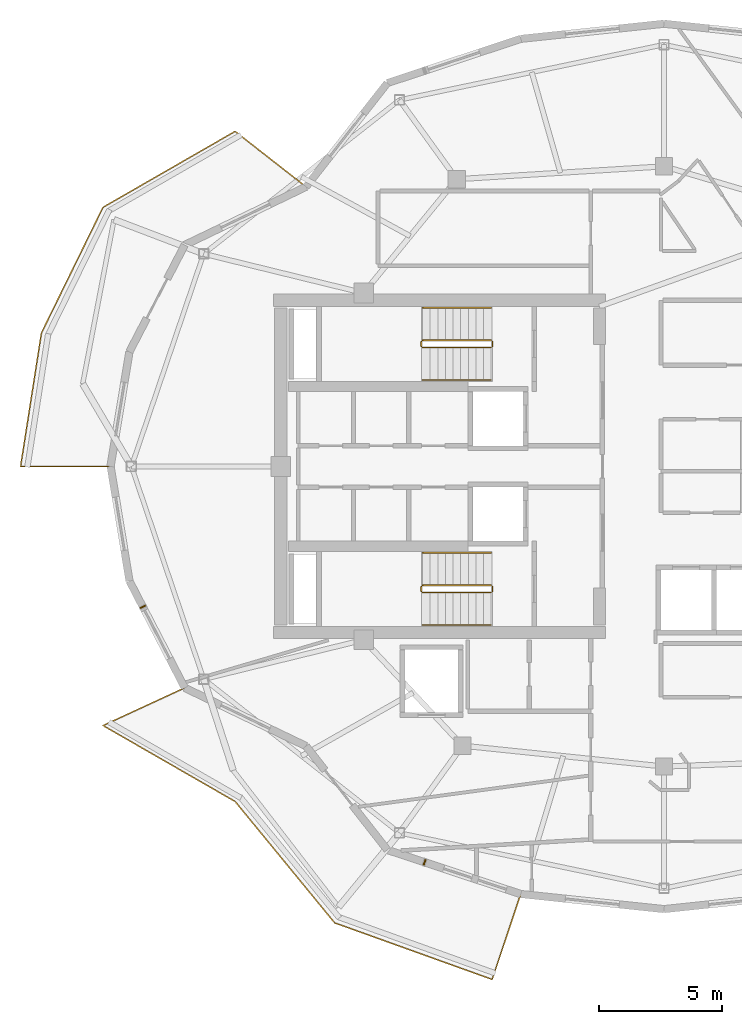
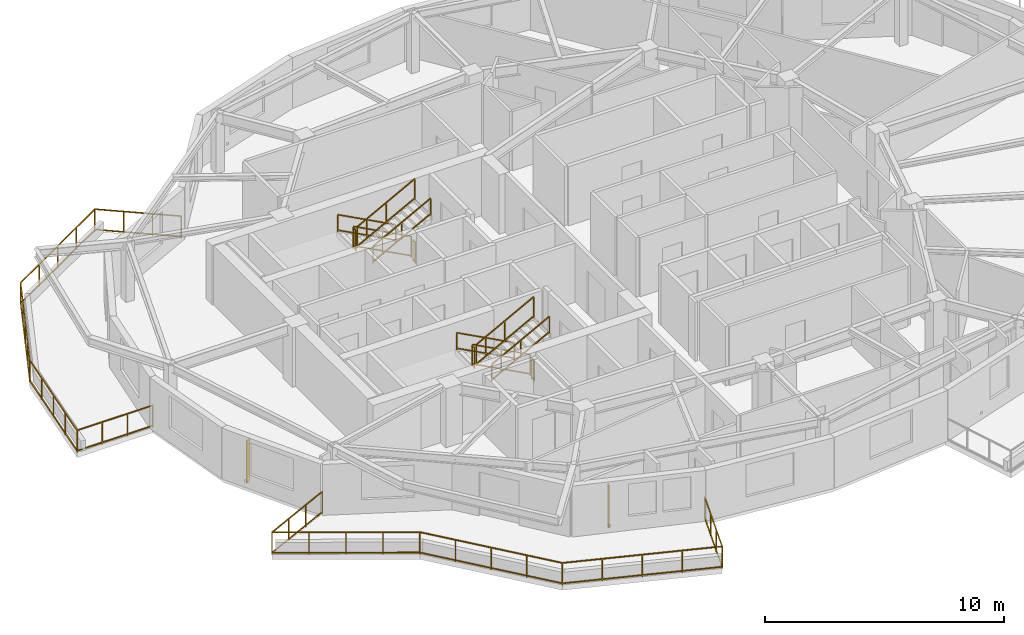
# One storey, part 9 of 11: 14 railings, 2 shading devices.
"""IFC4 building model written with IfcOpenShell, lengths in metres."""

import ifcopenshell
import ifcopenshell.guid

model = None  # the IFC model being written
_history = None  # IfcOwnerHistory: only IFC2X3 demands one
_inside = {}  # id of a spatial element -> (the spatial element, [elements in it])
_under = {}  # id of a project, library or spatial element -> (it, [spatial elements below it])
_declared = {}  # id of a project -> (the project, [libraries it declares])
_typed = {}  # id of a type object -> (the type object, [elements of that type])
_made_of = {}  # id of a material, layer set ... -> (it, [elements and type objects made of it])


def new_model(schema):
    """Start an empty IFC model of exactly this schema.

    Asked for "IFC4X3", IfcOpenShell would pick the latest addendum, in which some entities
    have other attributes; the version numbers below select the first issue.
    IFC2X3 requires an IfcOwnerHistory on every rooted entity: one is made here for all.
    """
    global model, _history
    if schema == "IFC4X3":
        model = ifcopenshell.file(schema_version=(4, 3, 0, 0))
    else:
        model = ifcopenshell.file(schema=schema)
    _inside.clear()
    _under.clear()
    _declared.clear()
    _typed.clear()
    _made_of.clear()
    _history = None
    if model.schema == "IFC2X3":
        org = make("IfcOrganization", Name="unknown")
        user = make(
            "IfcPersonAndOrganization",
            ThePerson=make("IfcPerson", FamilyName="unknown"),
            TheOrganization=org,
        )
        app = make(
            "IfcApplication",
            ApplicationDeveloper=org,
            Version="unknown",
            ApplicationFullName="unknown",
            ApplicationIdentifier="unknown",
        )
        _history = make(
            "IfcOwnerHistory",
            OwningUser=user,
            OwningApplication=app,
            ChangeAction="ADDED",
            CreationDate=0,
        )
    return model


def make(cls, **values):
    """One entity of the class cls with the attributes given. An attribute that is None is left unset."""
    return model.create_entity(
        cls, **{name: value for name, value in values.items() if value is not None}
    )


def rooted(cls, **values):
    """An entity with a GlobalId (a new one), such as an element, a storey or a relation."""
    return make(cls, GlobalId=ifcopenshell.guid.new(), OwnerHistory=_history, **values)


def si_unit(unit_type, name, prefix=None):
    """IfcSIUnit, for example si_unit("LENGTHUNIT", "METRE", prefix="MILLI")."""
    return make("IfcSIUnit", UnitType=unit_type, Prefix=prefix, Name=name)


def assignment(units):
    """IfcUnitAssignment: the units of a project."""
    return None if units is None else make("IfcUnitAssignment", Units=units)


def point(xyz):
    """IfcCartesianPoint."""
    return None if xyz is None else make("IfcCartesianPoint", Coordinates=xyz)


def direction(xyz):
    """IfcDirection."""
    return None if xyz is None else make("IfcDirection", DirectionRatios=xyz)


def frame(location, z_axis=None, x_axis=None):
    """IfcAxis2Placement3D, a coordinate frame: its origin and axes. An axis left out is left unset."""
    return make(
        "IfcAxis2Placement3D",
        Location=point(location),
        Axis=direction(z_axis),
        RefDirection=direction(x_axis),
    )


def frame_2d(location, x_axis=None):
    """IfcAxis2Placement2D, a coordinate frame in the plane: its origin and x axis."""
    return make(
        "IfcAxis2Placement2D", Location=point(location), RefDirection=direction(x_axis)
    )


def origin():
    """The frame at (0, 0, 0) with its axes left unset."""
    return frame((0.0, 0.0, 0.0))


def origin_2d():
    """The frame at (0, 0) in the plane with its x axis left unset."""
    return frame_2d((0.0, 0.0))


def place(relative_to, where):
    """IfcLocalPlacement: puts the frame where relative to a parent placement (None: the world)."""
    return make(
        "IfcLocalPlacement", PlacementRelTo=relative_to, RelativePlacement=where
    )


def context(
    kind, dimensions, precision=None, world=None, true_north=None, identifier=None
):
    """IfcGeometricRepresentationContext, for example the 3D "Model" context."""
    return make(
        "IfcGeometricRepresentationContext",
        ContextIdentifier=identifier,
        ContextType=kind,
        CoordinateSpaceDimension=dimensions,
        Precision=precision,
        WorldCoordinateSystem=world,
        TrueNorth=true_north,
    )


def subcontext(parent, identifier, kind, view, scale=None):
    """IfcGeometricRepresentationSubContext, for example "Body" below "Model"."""
    return make(
        "IfcGeometricRepresentationSubContext",
        ContextIdentifier=identifier,
        ContextType=kind,
        ParentContext=parent,
        TargetScale=scale,
        TargetView=view,
    )


def project(units=None, contexts=None):
    """IfcProject with its units and contexts."""
    return rooted(
        "IfcProject",
        Name="project",
        RepresentationContexts=contexts,
        UnitsInContext=assignment(units),
    )


def spatial(cls, under=None, at=None, **own):
    """A site, building, storey or space (cls), placed at a placement, below another one or the project."""
    s = rooted(cls, ObjectPlacement=at, **own)
    if under is not None:
        _under.setdefault(under.id(), (under, []))[1].append(s)
    return s


def profile(cls, at=None, kind="AREA", **sizes):
    """A parametric profile (cls). Its sizes go by their IFC names, for example OverallWidth=200.0."""
    return make(cls, ProfileType=kind, Position=at, **sizes)


def rectangle(**sizes):
    """IfcRectangleProfileDef."""
    return profile("IfcRectangleProfileDef", **sizes)


def extrude(swept, where, along, depth):
    """IfcExtrudedAreaSolid: the profile swept, set in the frame where, extruded along a direction by depth."""
    return make(
        "IfcExtrudedAreaSolid",
        SweptArea=swept,
        Position=where,
        ExtrudedDirection=direction(along),
        Depth=depth,
    )


def shape(context_of_items, identifier, shape_type, items):
    """IfcShapeRepresentation: the items that make up one representation, for example the "Body"."""
    return make(
        "IfcShapeRepresentation",
        ContextOfItems=context_of_items,
        RepresentationIdentifier=identifier,
        RepresentationType=shape_type,
        Items=items,
    )


def material(Name=None, Category=None):
    """IfcMaterial."""
    return make("IfcMaterial", Name=Name, Category=Category)


def made_of(thing, what):
    """Note that an element or type object is made of a material, layer set ...; save() writes the relation."""
    if what is not None:
        _made_of.setdefault(what.id(), (what, []))[1].append(thing)
    return thing


def type_object(cls, material=None, **own):
    """A type object (cls), such as IfcWallType, which elements share."""
    return made_of(rooted(cls, **own), material)


def element(
    cls,
    number,
    at=None,
    inside=None,
    cuts=None,
    type_object=None,
    material=None,
    context=None,
    identifier="Body",
    shape_type=None,
    held_by="IfcProductDefinitionShape",
    body=None,
    shapes=None,
    **own,
):
    """One element of the class cls, such as IfcWall. Its Tag is "e" and its number.

    at: its placement. inside: the storey or other place that contains it. cuts: it is an
    opening in that element (IfcRelVoidsElement). A single representation is given by context,
    identifier, shape_type and body (its items); several are given by shapes. held_by: the class
    of the entity that holds the representations. save() writes the other relations.
    """
    e = rooted(cls, Tag="e%d" % number, ObjectPlacement=at, **own)
    if body is not None:
        shapes = [shape(context, identifier, shape_type, body)]
    if shapes is not None:
        e.Representation = make(held_by, Representations=shapes)
    if inside is not None:
        _inside.setdefault(inside.id(), (inside, []))[1].append(e)
    if cuts is not None:
        rooted(
            "IfcRelVoidsElement", RelatingBuildingElement=cuts, RelatedOpeningElement=e
        )
    if type_object is not None:
        _typed.setdefault(type_object.id(), (type_object, []))[1].append(e)
    return made_of(e, material)


def aggregate(whole, parts):
    """IfcRelAggregates: a whole, such as a stair, and the parts it consists of."""
    return rooted("IfcRelAggregates", RelatingObject=whole, RelatedObjects=parts)


def save(model, path):
    """Write the relations noted so far, then the file.

    IfcRelAggregates (storeys below a building ...), IfcRelContainedInSpatialStructure (elements
    in a storey), IfcRelDefinesByType, IfcRelAssociatesMaterial and IfcRelDeclares: one each for
    every whole, place, type object, material and project.
    """
    for whole, parts in _under.values():
        aggregate(whole, parts)
    for where, things in _inside.values():
        rooted(
            "IfcRelContainedInSpatialStructure",
            RelatedElements=things,
            RelatingStructure=where,
        )
    for kind, things in _typed.values():
        rooted("IfcRelDefinesByType", RelatedObjects=things, RelatingType=kind)
    for what, things in _made_of.values():
        rooted("IfcRelAssociatesMaterial", RelatedObjects=things, RelatingMaterial=what)
    for by, libraries in _declared.values():
        rooted("IfcRelDeclares", RelatingContext=by, RelatedDefinitions=libraries)
    model.write(path)


model = new_model("IFC4")

# Units and contexts
model_context = context("Model", 3, precision=1e-05, world=origin(), true_north=direction((0.0, 1.0)))
body_context = subcontext(model_context, "Body", "Model", "MODEL_VIEW")
ifc_project = project(units=[si_unit("LENGTHUNIT", "METRE"), si_unit("AREAUNIT", "SQUARE_METRE"), si_unit("VOLUMEUNIT", "CUBIC_METRE"), si_unit("PLANEANGLEUNIT", "RADIAN"), si_unit("MASSUNIT", "GRAM", prefix="KILO")], contexts=[model_context])

# Site, building, storey
site_placement = place(None, origin())
site = spatial("IfcSite", under=ifc_project, at=site_placement, CompositionType="ELEMENT")
building_placement = place(site_placement, origin())
building = spatial("IfcBuilding", under=site, at=building_placement, Name="Kolvaren Gate Tower and Convention Centre", CompositionType="ELEMENT")
storey_placement = place(building_placement, frame((0.0, 0.0, 242.60009765625)))
storey = spatial("IfcBuildingStorey", under=building, at=storey_placement, Name="L65", CompositionType="ELEMENT", Elevation=242.60009765625)

# Railings
ifc_material_1 = material(Name="Brushed Stainless Steel Grade 316L", Category="steel")
railing_type_1 = type_object("IfcRailingType", Name="ARCH-RL-GUARD-1150", PredefinedType="GUARDRAIL", material=ifc_material_1)
railing_1_placement = place(storey_placement, frame((23.10009765625, 32.1298828125, 0.164794921875)))
element("IfcRailing", 1, at=railing_1_placement, inside=storey, type_object=railing_type_1, Name="L65 ST-T1 stair guard 1", PredefinedType="GUARDRAIL", context=body_context, shape_type="SweptSolid", body=[
    extrude(rectangle(XDim=0.048095703125, YDim=0.048095703125, at=origin_2d()), frame((0.0, 0.0, 1.076171875), z_axis=(-0.882735390775, 0.0, 0.469870439454), x_axis=(0.0, -1.0, 0.0)), (0.0, 0.0, 1.0), 3.16064453125),
    extrude(rectangle(XDim=0.048095703125, YDim=0.048095703125, at=origin_2d()), frame((0.0, 0.0, 0.083984375), z_axis=(-0.882735390775, 0.0, 0.469870439454), x_axis=(0.0, -1.0, 0.0)), (0.0, 0.0, 1.0), 3.16064453125),
    extrude(rectangle(XDim=0.0419921875, YDim=0.0419921875, at=origin_2d()), origin(), (0.0, 0.0, 1.0), 1.050048828125),
    extrude(rectangle(XDim=0.0419921875, YDim=0.0419921875, at=origin_2d()), frame((-2.7900390625, 0.0, 1.485107421875)), (0.0, 0.0, 1.0), 1.050048828125),
    extrude(rectangle(XDim=0.0419921875, YDim=0.0419921875, at=origin_2d()), frame((-1.39501953125, 0.0, 0.74267578125)), (0.0, 0.0, 1.0), 1.050048828125),
])
railing_2_placement = place(storey_placement, frame((20.260009765625, 32.080078125, 1.64990234375)))
element("IfcRailing", 2, at=railing_2_placement, inside=storey, type_object=railing_type_1, Name="L65 ST-T1 stair guard 2", PredefinedType="GUARDRAIL", context=body_context, shape_type="SweptSolid", body=[
    extrude(rectangle(XDim=0.048095703125, YDim=0.048095703125, at=origin_2d()), frame((0.0, 0.0, 1.076171875), z_axis=(0.0, -1.0, 0.0), x_axis=(1.0, 0.0, 0.0)), (0.0, 0.0, 1.0), 0.2001953125),
    extrude(rectangle(XDim=0.048095703125, YDim=0.048095703125, at=origin_2d()), frame((0.0, 0.0, 0.083984375), z_axis=(0.0, -1.0, 0.0), x_axis=(1.0, 0.0, 0.0)), (0.0, 0.0, 1.0), 0.2001953125),
    extrude(rectangle(XDim=0.0419921875, YDim=0.0419921875, at=origin_2d()), origin(), (0.0, 0.0, 1.0), 1.050048828125),
    extrude(rectangle(XDim=0.0419921875, YDim=0.0419921875, at=origin_2d()), frame((0.0, -0.2001953125, 0.0)), (0.0, 0.0, 1.0), 1.050048828125),
])
railing_3_placement = place(storey_placement, frame((20.31005859375, 31.830078125, 1.81494140625)))
element("IfcRailing", 3, at=railing_3_placement, inside=storey, type_object=railing_type_1, Name="L65 ST-T1 stair guard 3", PredefinedType="GUARDRAIL", context=body_context, shape_type="SweptSolid", body=[
    extrude(rectangle(XDim=0.048095703125, YDim=0.048095703125, at=origin_2d()), frame((0.0, 0.0, 1.076171875), z_axis=(0.882767428149, 0.0, 0.469810246588), x_axis=(0.0, 1.0, 0.0)), (0.0, 0.0, 1.0), 3.16064453125),
    extrude(rectangle(XDim=0.048095703125, YDim=0.048095703125, at=origin_2d()), frame((0.0, 0.0, 0.083984375), z_axis=(0.882767428149, 0.0, 0.469810246588), x_axis=(0.0, 1.0, 0.0)), (0.0, 0.0, 1.0), 3.16064453125),
    extrude(rectangle(XDim=0.0419921875, YDim=0.0419921875, at=origin_2d()), origin(), (0.0, 0.0, 1.0), 1.050048828125),
    extrude(rectangle(XDim=0.0419921875, YDim=0.0419921875, at=origin_2d()), frame((2.7900390625, 0.0, 1.48486328125)), (0.0, 0.0, 1.0), 1.050048828125),
    extrude(rectangle(XDim=0.0419921875, YDim=0.0419921875, at=origin_2d()), frame((1.39501953125, 0.0, 0.742431640625)), (0.0, 0.0, 1.0), 1.050048828125),
])
railing_4_placement = place(storey_placement, frame((23.14990234375, 32.080078125, 0.0)))
element("IfcRailing", 4, at=railing_4_placement, inside=storey, type_object=railing_type_1, Name="L65 ST-T1 stair guard 4", PredefinedType="GUARDRAIL", context=body_context, shape_type="SweptSolid", body=[
    extrude(rectangle(XDim=0.048095703125, YDim=0.048095703125, at=origin_2d()), frame((0.0, 0.0, 1.076171875), z_axis=(0.0, -1.0, 0.0), x_axis=(1.0, 0.0, 0.0)), (0.0, 0.0, 1.0), 0.2001953125),
    extrude(rectangle(XDim=0.048095703125, YDim=0.048095703125, at=origin_2d()), frame((0.0, 0.0, 0.083984375), z_axis=(0.0, -1.0, 0.0), x_axis=(1.0, 0.0, 0.0)), (0.0, 0.0, 1.0), 0.2001953125),
    extrude(rectangle(XDim=0.0419921875, YDim=0.0419921875, at=origin_2d()), origin(), (0.0, 0.0, 1.0), 1.050048828125),
    extrude(rectangle(XDim=0.0419921875, YDim=0.0419921875, at=origin_2d()), frame((0.0, -0.2001953125, 0.0)), (0.0, 0.0, 1.0), 1.050048828125),
])
railing_5_placement = place(storey_placement, frame((23.10009765625, 22.169921875, 0.164794921875)))
element("IfcRailing", 5, at=railing_5_placement, inside=storey, type_object=railing_type_1, Name="L65 ST-T2 stair guard 1", PredefinedType="GUARDRAIL", context=body_context, shape_type="SweptSolid", body=[
    extrude(rectangle(XDim=0.048095703125, YDim=0.048095703125, at=origin_2d()), frame((0.0, 0.0, 1.076171875), z_axis=(-0.882735390775, 0.0, 0.469870439454), x_axis=(0.0, -1.0, 0.0)), (0.0, 0.0, 1.0), 3.16064453125),
    extrude(rectangle(XDim=0.048095703125, YDim=0.048095703125, at=origin_2d()), frame((0.0, 0.0, 0.083984375), z_axis=(-0.882735390775, 0.0, 0.469870439454), x_axis=(0.0, -1.0, 0.0)), (0.0, 0.0, 1.0), 3.16064453125),
    extrude(rectangle(XDim=0.0419921875, YDim=0.0419921875, at=origin_2d()), origin(), (0.0, 0.0, 1.0), 1.050048828125),
    extrude(rectangle(XDim=0.0419921875, YDim=0.0419921875, at=origin_2d()), frame((-2.7900390625, 0.0, 1.485107421875)), (0.0, 0.0, 1.0), 1.050048828125),
    extrude(rectangle(XDim=0.0419921875, YDim=0.0419921875, at=origin_2d()), frame((-1.39501953125, 0.0, 0.74267578125)), (0.0, 0.0, 1.0), 1.050048828125),
])
railing_6_placement = place(storey_placement, frame((20.260009765625, 22.1201171875, 1.64990234375)))
element("IfcRailing", 6, at=railing_6_placement, inside=storey, type_object=railing_type_1, Name="L65 ST-T2 stair guard 2", PredefinedType="GUARDRAIL", context=body_context, shape_type="SweptSolid", body=[
    extrude(rectangle(XDim=0.048095703125, YDim=0.048095703125, at=origin_2d()), frame((0.0, 0.0, 1.076171875), z_axis=(0.0, -1.0, 0.0), x_axis=(1.0, 0.0, 0.0)), (0.0, 0.0, 1.0), 0.2001953125),
    extrude(rectangle(XDim=0.048095703125, YDim=0.048095703125, at=origin_2d()), frame((0.0, 0.0, 0.083984375), z_axis=(0.0, -1.0, 0.0), x_axis=(1.0, 0.0, 0.0)), (0.0, 0.0, 1.0), 0.2001953125),
    extrude(rectangle(XDim=0.0419921875, YDim=0.0419921875, at=origin_2d()), origin(), (0.0, 0.0, 1.0), 1.050048828125),
    extrude(rectangle(XDim=0.0419921875, YDim=0.0419921875, at=origin_2d()), frame((0.0, -0.2001953125, 0.0)), (0.0, 0.0, 1.0), 1.050048828125),
])
railing_7_placement = place(storey_placement, frame((20.31005859375, 21.8701171875, 1.81494140625)))
element("IfcRailing", 7, at=railing_7_placement, inside=storey, type_object=railing_type_1, Name="L65 ST-T2 stair guard 3", PredefinedType="GUARDRAIL", context=body_context, shape_type="SweptSolid", body=[
    extrude(rectangle(XDim=0.048095703125, YDim=0.048095703125, at=origin_2d()), frame((0.0, 0.0, 1.076171875), z_axis=(0.882767428149, 0.0, 0.469810246588), x_axis=(0.0, 1.0, 0.0)), (0.0, 0.0, 1.0), 3.16064453125),
    extrude(rectangle(XDim=0.048095703125, YDim=0.048095703125, at=origin_2d()), frame((0.0, 0.0, 0.083984375), z_axis=(0.882767428149, 0.0, 0.469810246588), x_axis=(0.0, 1.0, 0.0)), (0.0, 0.0, 1.0), 3.16064453125),
    extrude(rectangle(XDim=0.0419921875, YDim=0.0419921875, at=origin_2d()), origin(), (0.0, 0.0, 1.0), 1.050048828125),
    extrude(rectangle(XDim=0.0419921875, YDim=0.0419921875, at=origin_2d()), frame((2.7900390625, 0.0, 1.48486328125)), (0.0, 0.0, 1.0), 1.050048828125),
    extrude(rectangle(XDim=0.0419921875, YDim=0.0419921875, at=origin_2d()), frame((1.39501953125, 0.0, 0.742431640625)), (0.0, 0.0, 1.0), 1.050048828125),
])
railing_8_placement = place(storey_placement, frame((23.14990234375, 22.1201171875, 0.0)))
element("IfcRailing", 8, at=railing_8_placement, inside=storey, type_object=railing_type_1, Name="L65 ST-T2 stair guard 4", PredefinedType="GUARDRAIL", context=body_context, shape_type="SweptSolid", body=[
    extrude(rectangle(XDim=0.048095703125, YDim=0.048095703125, at=origin_2d()), frame((0.0, 0.0, 1.076171875), z_axis=(0.0, -1.0, 0.0), x_axis=(1.0, 0.0, 0.0)), (0.0, 0.0, 1.0), 0.2001953125),
    extrude(rectangle(XDim=0.048095703125, YDim=0.048095703125, at=origin_2d()), frame((0.0, 0.0, 0.083984375), z_axis=(0.0, -1.0, 0.0), x_axis=(1.0, 0.0, 0.0)), (0.0, 0.0, 1.0), 0.2001953125),
    extrude(rectangle(XDim=0.0419921875, YDim=0.0419921875, at=origin_2d()), origin(), (0.0, 0.0, 1.0), 1.050048828125),
    extrude(rectangle(XDim=0.0419921875, YDim=0.0419921875, at=origin_2d()), frame((0.0, -0.2001953125, 0.0)), (0.0, 0.0, 1.0), 1.050048828125),
])
railing_9_placement = place(storey_placement, frame((15.57275390625, 38.370361328125, 0.0)))
element("IfcRailing", 9, at=railing_9_placement, inside=storey, type_object=railing_type_1, Name="Tower L65 Terrace Perimeter Guardrail GR-2", PredefinedType="GUARDRAIL", context=body_context, shape_type="SweptSolid", body=[
    extrude(rectangle(XDim=0.048095703125, YDim=0.048095703125, at=origin_2d()), frame((-0.022216796875, 0.017333984375, 1.1259765625), z_axis=(-0.787988976981, 0.61568934712, 0.0), x_axis=(-0.61568934712, -0.787988976981, 0.0)), (0.0, 0.0, 1.0), 3.60400390625),
    extrude(rectangle(XDim=0.048095703125, YDim=0.048095703125, at=origin_2d()), frame((-0.022216796875, 0.017333984375, 0.083984375), z_axis=(-0.787988976981, 0.61568934712, 0.0), x_axis=(-0.61568934712, -0.787988976981, 0.0)), (0.0, 0.0, 1.0), 3.60400390625),
    extrude(rectangle(XDim=0.048095703125, YDim=0.048095703125, at=origin_2d()), frame((-2.908447265625, 2.239501953125, 1.1259765625), z_axis=(-0.866894385595, -0.498491849706, 0.0), x_axis=(0.498491849706, -0.866894385595, 0.0)), (0.0, 0.0, 1.0), 6.140869140625),
    extrude(rectangle(XDim=0.048095703125, YDim=0.048095703125, at=origin_2d()), frame((-2.908447265625, 2.239501953125, 0.083984375), z_axis=(-0.866894385595, -0.498491849706, 0.0), x_axis=(0.498491849706, -0.866894385595, 0.0)), (0.0, 0.0, 1.0), 6.140869140625),
    extrude(rectangle(XDim=0.048095703125, YDim=0.048095703125, at=origin_2d()), frame((-8.2685546875, -0.86083984375, 1.1259765625), z_axis=(-0.440058847499, -0.897968936399, 0.0), x_axis=(0.897968936399, -0.440058847499, 0.0)), (0.0, 0.0, 1.0), 5.63330078125),
    extrude(rectangle(XDim=0.048095703125, YDim=0.048095703125, at=origin_2d()), frame((-8.2685546875, -0.86083984375, 0.083984375), z_axis=(-0.440058847499, -0.897968936399, 0.0), x_axis=(0.897968936399, -0.440058847499, 0.0)), (0.0, 0.0, 1.0), 5.63330078125),
    extrude(rectangle(XDim=0.048095703125, YDim=0.048095703125, at=origin_2d()), frame((-10.76416015625, -5.972412109375, 1.1259765625), z_axis=(-0.1543985789, -0.988008643097, 0.0), x_axis=(0.988008643097, -0.1543985789, 0.0)), (0.0, 0.0, 1.0), 5.435546875),
    extrude(rectangle(XDim=0.048095703125, YDim=0.048095703125, at=origin_2d()), frame((-10.76416015625, -5.972412109375, 0.083984375), z_axis=(-0.1543985789, -0.988008643097, 0.0), x_axis=(0.988008643097, -0.1543985789, 0.0)), (0.0, 0.0, 1.0), 5.435546875),
    extrude(rectangle(XDim=0.048095703125, YDim=0.048095703125, at=origin_2d()), frame((-11.57958984375, -11.370361328125, 1.1259765625), z_axis=(1.0, 0.0, 0.0), x_axis=(0.0, 1.0, 0.0)), (0.0, 0.0, 1.0), 3.603759765625),
    extrude(rectangle(XDim=0.048095703125, YDim=0.048095703125, at=origin_2d()), frame((-11.57958984375, -11.370361328125, 0.083984375), z_axis=(1.0, 0.0, 0.0), x_axis=(0.0, 1.0, 0.0)), (0.0, 0.0, 1.0), 3.603759765625),
    extrude(rectangle(XDim=0.0419921875, YDim=0.0419921875, at=origin_2d()), origin(), (0.0, 0.0, 1.0), 1.14990234375),
    extrude(rectangle(XDim=0.0419921875, YDim=0.0419921875, at=origin_2d()), frame((-2.884033203125, 2.25341796875, 0.0)), (0.0, 0.0, 1.0), 1.14990234375),
    extrude(rectangle(XDim=0.0419921875, YDim=0.0419921875, at=origin_2d()), frame((-0.96142578125, 0.751220703125, 0.0)), (0.0, 0.0, 1.0), 1.099853515625),
    extrude(rectangle(XDim=0.0419921875, YDim=0.0419921875, at=origin_2d()), frame((-1.922607421875, 1.502197265625, 0.0)), (0.0, 0.0, 1.0), 1.099853515625),
    extrude(rectangle(XDim=0.0419921875, YDim=0.0419921875, at=origin_2d()), frame((-8.256103515625, -0.835693359375, 0.0)), (0.0, 0.0, 1.0), 1.14990234375),
    extrude(rectangle(XDim=0.0419921875, YDim=0.0419921875, at=origin_2d()), frame((-4.22705078125, 1.481201171875, 0.0)), (0.0, 0.0, 1.0), 1.099853515625),
    extrude(rectangle(XDim=0.0419921875, YDim=0.0419921875, at=origin_2d()), frame((-5.570068359375, 0.708984375, 0.0)), (0.0, 0.0, 1.0), 1.099853515625),
    extrude(rectangle(XDim=0.0419921875, YDim=0.0419921875, at=origin_2d()), frame((-6.9130859375, -0.0634765625, 0.0)), (0.0, 0.0, 1.0), 1.099853515625),
    extrude(rectangle(XDim=0.0419921875, YDim=0.0419921875, at=origin_2d()), frame((-10.759765625, -5.944580078125, 0.0)), (0.0, 0.0, 1.0), 1.14990234375),
    extrude(rectangle(XDim=0.0419921875, YDim=0.0419921875, at=origin_2d()), frame((-8.882080078125, -2.11279296875, 0.0)), (0.0, 0.0, 1.0), 1.099853515625),
    extrude(rectangle(XDim=0.0419921875, YDim=0.0419921875, at=origin_2d()), frame((-9.5078125, -3.39013671875, 0.0)), (0.0, 0.0, 1.0), 1.099853515625),
    extrude(rectangle(XDim=0.0419921875, YDim=0.0419921875, at=origin_2d()), frame((-10.1337890625, -4.66748046875, 0.0)), (0.0, 0.0, 1.0), 1.099853515625),
    extrude(rectangle(XDim=0.0419921875, YDim=0.0419921875, at=origin_2d()), frame((-11.607666015625, -11.370361328125, 0.0)), (0.0, 0.0, 1.0), 1.14990234375),
    extrude(rectangle(XDim=0.0419921875, YDim=0.0419921875, at=origin_2d()), frame((-10.9716796875, -7.301025390625, 0.0)), (0.0, 0.0, 1.0), 1.099853515625),
    extrude(rectangle(XDim=0.0419921875, YDim=0.0419921875, at=origin_2d()), frame((-11.18359375, -8.657470703125, 0.0)), (0.0, 0.0, 1.0), 1.099853515625),
    extrude(rectangle(XDim=0.0419921875, YDim=0.0419921875, at=origin_2d()), frame((-11.395751953125, -10.013916015625, 0.0)), (0.0, 0.0, 1.0), 1.099853515625),
    extrude(rectangle(XDim=0.0419921875, YDim=0.0419921875, at=origin_2d()), frame((-7.94775390625, -11.370361328125, 0.0)), (0.0, 0.0, 1.0), 1.14990234375),
    extrude(rectangle(XDim=0.0419921875, YDim=0.0419921875, at=origin_2d()), frame((-10.3876953125, -11.370361328125, 0.0)), (0.0, 0.0, 1.0), 1.099853515625),
    extrude(rectangle(XDim=0.0419921875, YDim=0.0419921875, at=origin_2d()), frame((-9.167724609375, -11.370361328125, 0.0)), (0.0, 0.0, 1.0), 1.099853515625),
])
railing_10_placement = place(storey_placement, frame((10.639404296875, 18.0, 0.0)))
element("IfcRailing", 10, at=railing_10_placement, inside=storey, type_object=railing_type_1, Name="Tower L65 Terrace Perimeter Guardrail GR-3", PredefinedType="GUARDRAIL", context=body_context, shape_type="SweptSolid", body=[
    extrude(rectangle(XDim=0.048095703125, YDim=0.048095703125, at=origin_2d()), frame((-0.025390625, -0.01171875, 1.1259765625), z_axis=(-0.907846116663, -0.419303503993, 0.0), x_axis=(0.419303503993, -0.907846116663, 0.0)), (0.0, 0.0, 1.0), 3.60400390625),
    extrude(rectangle(XDim=0.048095703125, YDim=0.048095703125, at=origin_2d()), frame((-0.025390625, -0.01171875, 0.083984375), z_axis=(-0.907846116663, -0.419303503993, 0.0), x_axis=(0.419303503993, -0.907846116663, 0.0)), (0.0, 0.0, 1.0), 3.60400390625),
    extrude(rectangle(XDim=0.048095703125, YDim=0.048095703125, at=origin_2d()), frame((-3.29833984375, -1.548583984375, 1.1259765625), z_axis=(0.866894385595, -0.498491849706, 0.0), x_axis=(0.498491849706, 0.866894385595, 0.0)), (0.0, 0.0, 1.0), 6.140869140625),
    extrude(rectangle(XDim=0.048095703125, YDim=0.048095703125, at=origin_2d()), frame((-3.29833984375, -1.548583984375, 0.083984375), z_axis=(0.866894385595, -0.498491849706, 0.0), x_axis=(0.498491849706, 0.866894385595, 0.0)), (0.0, 0.0, 1.0), 6.140869140625),
    extrude(rectangle(XDim=0.048095703125, YDim=0.048095703125, at=origin_2d()), frame((2.067138671875, -4.6455078125, 1.1259765625), z_axis=(0.634050293942, -0.773291810866, 0.0), x_axis=(0.773291810866, 0.634050293942, 0.0)), (0.0, 0.0, 1.0), 6.322509765625),
    extrude(rectangle(XDim=0.048095703125, YDim=0.048095703125, at=origin_2d()), frame((2.067138671875, -4.6455078125, 0.083984375), z_axis=(0.634050293942, -0.773291810866, 0.0), x_axis=(0.773291810866, 0.634050293942, 0.0)), (0.0, 0.0, 1.0), 6.322509765625),
    extrude(rectangle(XDim=0.048095703125, YDim=0.048095703125, at=origin_2d()), frame((6.1201171875, -9.56591796875, 1.1259765625), z_axis=(0.941139090914, -0.338019543152, 0.0), x_axis=(0.338019543152, 0.941139090914, 0.0)), (0.0, 0.0, 1.0), 6.75048828125),
    extrude(rectangle(XDim=0.048095703125, YDim=0.048095703125, at=origin_2d()), frame((6.1201171875, -9.56591796875, 0.083984375), z_axis=(0.941139090914, -0.338019543152, 0.0), x_axis=(0.338019543152, 0.941139090914, 0.0)), (0.0, 0.0, 1.0), 6.75048828125),
    extrude(rectangle(XDim=0.048095703125, YDim=0.048095703125, at=origin_2d()), frame((12.508544921875, -11.83056640625, 1.1259765625), z_axis=(0.317588247294, 0.948228719867, 0.0), x_axis=(-0.948228719867, 0.317588247294, 0.0)), (0.0, 0.0, 1.0), 3.603759765625),
    extrude(rectangle(XDim=0.048095703125, YDim=0.048095703125, at=origin_2d()), frame((12.508544921875, -11.83056640625, 0.083984375), z_axis=(0.317588247294, 0.948228719867, 0.0), x_axis=(-0.948228719867, 0.317588247294, 0.0)), (0.0, 0.0, 1.0), 3.603759765625),
    extrude(rectangle(XDim=0.0419921875, YDim=0.0419921875, at=origin_2d()), origin(), (0.0, 0.0, 1.0), 1.14990234375),
    extrude(rectangle(XDim=0.0419921875, YDim=0.0419921875, at=origin_2d()), frame((-3.32275390625, -1.53466796875, 0.0)), (0.0, 0.0, 1.0), 1.14990234375),
    extrude(rectangle(XDim=0.0419921875, YDim=0.0419921875, at=origin_2d()), frame((-1.107666015625, -0.511474609375, 0.0)), (0.0, 0.0, 1.0), 1.099853515625),
    extrude(rectangle(XDim=0.0419921875, YDim=0.0419921875, at=origin_2d()), frame((-2.215087890625, -1.023193359375, 0.0)), (0.0, 0.0, 1.0), 1.099853515625),
    extrude(rectangle(XDim=0.0419921875, YDim=0.0419921875, at=origin_2d()), frame((2.04931640625, -4.623779296875, 0.0)), (0.0, 0.0, 1.0), 1.14990234375),
    extrude(rectangle(XDim=0.0419921875, YDim=0.0419921875, at=origin_2d()), frame((-1.979736328125, -2.306884765625, 0.0)), (0.0, 0.0, 1.0), 1.099853515625),
    extrude(rectangle(XDim=0.0419921875, YDim=0.0419921875, at=origin_2d()), frame((-0.63671875, -3.0791015625, 0.0)), (0.0, 0.0, 1.0), 1.099853515625),
    extrude(rectangle(XDim=0.0419921875, YDim=0.0419921875, at=origin_2d()), frame((0.706298828125, -3.8515625, 0.0)), (0.0, 0.0, 1.0), 1.099853515625),
    extrude(rectangle(XDim=0.0419921875, YDim=0.0419921875, at=origin_2d()), frame((6.09375, -9.556396484375, 0.0)), (0.0, 0.0, 1.0), 1.14990234375),
    extrude(rectangle(XDim=0.0419921875, YDim=0.0419921875, at=origin_2d()), frame((3.060546875, -5.85693359375, 0.0)), (0.0, 0.0, 1.0), 1.099853515625),
    extrude(rectangle(XDim=0.0419921875, YDim=0.0419921875, at=origin_2d()), frame((4.071533203125, -7.090087890625, 0.0)), (0.0, 0.0, 1.0), 1.099853515625),
    extrude(rectangle(XDim=0.0419921875, YDim=0.0419921875, at=origin_2d()), frame((5.08251953125, -8.3232421875, 0.0)), (0.0, 0.0, 1.0), 1.099853515625),
    extrude(rectangle(XDim=0.0419921875, YDim=0.0419921875, at=origin_2d()), frame((12.499755859375, -11.857177734375, 0.0)), (0.0, 0.0, 1.0), 1.14990234375),
    extrude(rectangle(XDim=0.0419921875, YDim=0.0419921875, at=origin_2d()), frame((7.6953125, -10.131591796875, 0.0)), (0.0, 0.0, 1.0), 1.099853515625),
    extrude(rectangle(XDim=0.0419921875, YDim=0.0419921875, at=origin_2d()), frame((9.296875, -10.706787109375, 0.0)), (0.0, 0.0, 1.0), 1.099853515625),
    extrude(rectangle(XDim=0.0419921875, YDim=0.0419921875, at=origin_2d()), frame((10.898193359375, -11.281982421875, 0.0)), (0.0, 0.0, 1.0), 1.099853515625),
    extrude(rectangle(XDim=0.0419921875, YDim=0.0419921875, at=origin_2d()), frame((13.662109375, -8.38671875, 0.0)), (0.0, 0.0, 1.0), 1.14990234375),
    extrude(rectangle(XDim=0.0419921875, YDim=0.0419921875, at=origin_2d()), frame((12.88720703125, -10.700439453125, 0.0)), (0.0, 0.0, 1.0), 1.099853515625),
    extrude(rectangle(XDim=0.0419921875, YDim=0.0419921875, at=origin_2d()), frame((13.274658203125, -9.54345703125, 0.0)), (0.0, 0.0, 1.0), 1.099853515625),
])
railing_type_2 = type_object("IfcRailingType", Name="ARCH-RL-HANDRAIL-920", PredefinedType="HANDRAIL", material=ifc_material_1)
railing_11_placement = place(storey_placement, frame((23.10009765625, 33.449951171875, 0.164794921875)))
element("IfcRailing", 11, at=railing_11_placement, inside=storey, type_object=railing_type_2, Name="L65 ST-T1 stair handrail 1", PredefinedType="HANDRAIL", context=body_context, shape_type="SweptSolid", body=[
    extrude(rectangle(XDim=0.048095703125, YDim=0.048095703125, at=origin_2d()), frame((0.0, 0.0, 0.8759765625), z_axis=(-0.882735390775, 0.0, 0.469870439454), x_axis=(0.0, -1.0, 0.0)), (0.0, 0.0, 1.0), 3.16064453125),
    extrude(rectangle(XDim=0.048095703125, YDim=0.048095703125, at=origin_2d()), frame((0.0, 0.0, 0.083984375), z_axis=(-0.882735390775, 0.0, 0.469870439454), x_axis=(0.0, -1.0, 0.0)), (0.0, 0.0, 1.0), 3.16064453125),
    extrude(rectangle(XDim=0.0419921875, YDim=0.0419921875, at=origin_2d()), origin(), (0.0, 0.0, 1.0), 0.849853515625),
    extrude(rectangle(XDim=0.0419921875, YDim=0.0419921875, at=origin_2d()), frame((-2.7900390625, 0.0, 1.485107421875)), (0.0, 0.0, 1.0), 0.849853515625),
    extrude(rectangle(XDim=0.0419921875, YDim=0.0419921875, at=origin_2d()), frame((-1.39501953125, 0.0, 0.74267578125)), (0.0, 0.0, 1.0), 0.849853515625),
])
railing_12_placement = place(storey_placement, frame((20.31005859375, 30.510009765625, 1.81494140625)))
element("IfcRailing", 12, at=railing_12_placement, inside=storey, type_object=railing_type_2, Name="L65 ST-T1 stair handrail 2", PredefinedType="HANDRAIL", context=body_context, shape_type="SweptSolid", body=[
    extrude(rectangle(XDim=0.048095703125, YDim=0.048095703125, at=origin_2d()), frame((0.0, 0.0, 0.8759765625), z_axis=(0.882767428149, 0.0, 0.469810246588), x_axis=(0.0, 1.0, 0.0)), (0.0, 0.0, 1.0), 3.16064453125),
    extrude(rectangle(XDim=0.048095703125, YDim=0.048095703125, at=origin_2d()), frame((0.0, 0.0, 0.083984375), z_axis=(0.882767428149, 0.0, 0.469810246588), x_axis=(0.0, 1.0, 0.0)), (0.0, 0.0, 1.0), 3.16064453125),
    extrude(rectangle(XDim=0.0419921875, YDim=0.0419921875, at=origin_2d()), origin(), (0.0, 0.0, 1.0), 0.849853515625),
    extrude(rectangle(XDim=0.0419921875, YDim=0.0419921875, at=origin_2d()), frame((2.7900390625, 0.0, 1.48486328125)), (0.0, 0.0, 1.0), 0.849853515625),
    extrude(rectangle(XDim=0.0419921875, YDim=0.0419921875, at=origin_2d()), frame((1.39501953125, 0.0, 0.742431640625)), (0.0, 0.0, 1.0), 0.849853515625),
])
railing_13_placement = place(storey_placement, frame((23.10009765625, 23.489990234375, 0.164794921875)))
element("IfcRailing", 13, at=railing_13_placement, inside=storey, type_object=railing_type_2, Name="L65 ST-T2 stair handrail 1", PredefinedType="HANDRAIL", context=body_context, shape_type="SweptSolid", body=[
    extrude(rectangle(XDim=0.048095703125, YDim=0.048095703125, at=origin_2d()), frame((0.0, 0.0, 0.8759765625), z_axis=(-0.882735390775, 0.0, 0.469870439454), x_axis=(0.0, -1.0, 0.0)), (0.0, 0.0, 1.0), 3.16064453125),
    extrude(rectangle(XDim=0.048095703125, YDim=0.048095703125, at=origin_2d()), frame((0.0, 0.0, 0.083984375), z_axis=(-0.882735390775, 0.0, 0.469870439454), x_axis=(0.0, -1.0, 0.0)), (0.0, 0.0, 1.0), 3.16064453125),
    extrude(rectangle(XDim=0.0419921875, YDim=0.0419921875, at=origin_2d()), origin(), (0.0, 0.0, 1.0), 0.849853515625),
    extrude(rectangle(XDim=0.0419921875, YDim=0.0419921875, at=origin_2d()), frame((-2.7900390625, 0.0, 1.485107421875)), (0.0, 0.0, 1.0), 0.849853515625),
    extrude(rectangle(XDim=0.0419921875, YDim=0.0419921875, at=origin_2d()), frame((-1.39501953125, 0.0, 0.74267578125)), (0.0, 0.0, 1.0), 0.849853515625),
])
railing_14_placement = place(storey_placement, frame((20.31005859375, 20.550048828125, 1.81494140625)))
element("IfcRailing", 14, at=railing_14_placement, inside=storey, type_object=railing_type_2, Name="L65 ST-T2 stair handrail 2", PredefinedType="HANDRAIL", context=body_context, shape_type="SweptSolid", body=[
    extrude(rectangle(XDim=0.048095703125, YDim=0.048095703125, at=origin_2d()), frame((0.0, 0.0, 0.8759765625), z_axis=(0.882767428149, 0.0, 0.469810246588), x_axis=(0.0, 1.0, 0.0)), (0.0, 0.0, 1.0), 3.16064453125),
    extrude(rectangle(XDim=0.048095703125, YDim=0.048095703125, at=origin_2d()), frame((0.0, 0.0, 0.083984375), z_axis=(0.882767428149, 0.0, 0.469810246588), x_axis=(0.0, 1.0, 0.0)), (0.0, 0.0, 1.0), 3.16064453125),
    extrude(rectangle(XDim=0.0419921875, YDim=0.0419921875, at=origin_2d()), origin(), (0.0, 0.0, 1.0), 0.849853515625),
    extrude(rectangle(XDim=0.0419921875, YDim=0.0419921875, at=origin_2d()), frame((2.7900390625, 0.0, 1.48486328125)), (0.0, 0.0, 1.0), 0.849853515625),
    extrude(rectangle(XDim=0.0419921875, YDim=0.0419921875, at=origin_2d()), frame((1.39501953125, 0.0, 0.742431640625)), (0.0, 0.0, 1.0), 0.849853515625),
])

# Shading devices
ifc_material_2 = material(Name="Kiln-Fired Bogota Terracotta Ceramic Louvre Profile", Category="masonry")
shading_device_type = type_object("IfcShadingDeviceType", Name="ARCH-SHD-FIN-180", PredefinedType="JALOUSIE", material=ifc_material_2)
for number, where, z_axis, x_axis, name in (
    (15, (8.93603515625, 21.289794921875, 0.219970703125), (0.0, 0.0, 1.0), (0.459778260738, -0.888033755525, 0.0), "Ceramic Vertical Brise-Soleil Fin FN-L65-13"),
    (16, (20.391845703125, 10.908935546875, 0.219970703125), (0.0, 0.0, 1.0), (0.949241728595, -0.314547517385, 0.0), "Ceramic Vertical Brise-Soleil Fin FN-L65-16"),
):
    element("IfcShadingDevice", number, at=place(storey_placement, frame(where, z_axis=z_axis, x_axis=x_axis)), inside=storey, type_object=shading_device_type, Name=name, PredefinedType="JALOUSIE", context=body_context, shape_type="SweptSolid", body=[
        extrude(rectangle(XDim=0.06005859375, YDim=0.239990234375, at=origin_2d()), origin(), (0.0, 0.0, 1.0), 2.14990234375),
    ])

save(model, "model.ifc")
